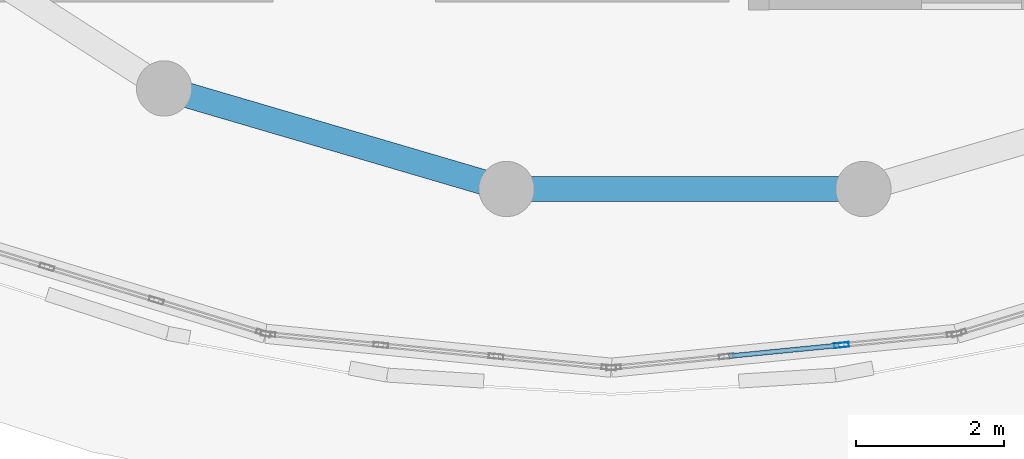
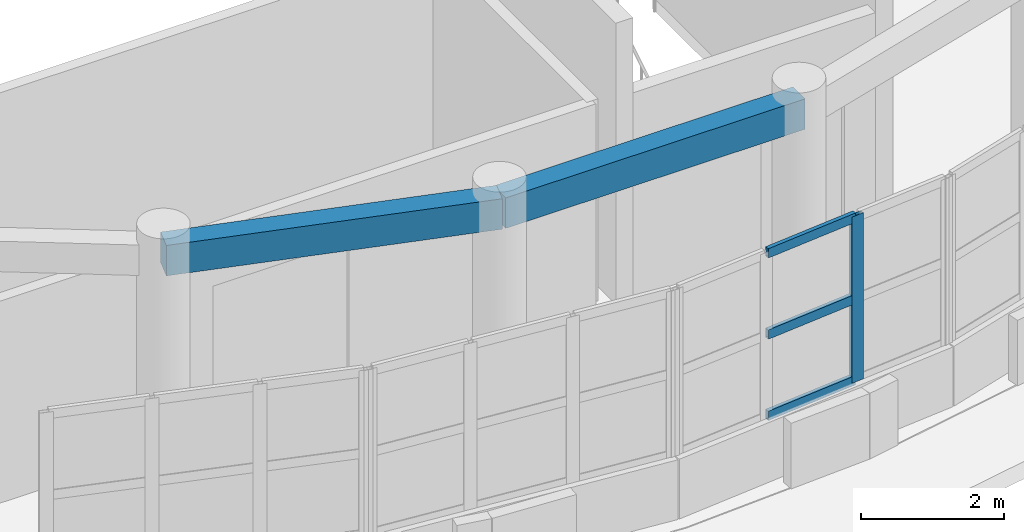
# One storey, part 21 of 98: 4 members, 2 beams, 1 element without a shape of its own.
"""IFC4 building model written with IfcOpenShell, lengths in metres."""

from ifc_helpers import new_model, si_unit, direction, frame, origin, origin_2d, place, context, subcontext, project, spatial, rectangle, hollow_rectangle, extrude, material, layer, layer_set, material_profile, profile_set, type_object, element, aggregate, save


model = new_model("IFC4")

# Units and contexts
model_context = context("Model", 3, precision=1e-05, world=origin(), true_north=direction((0.0, 1.0)))
body_context = subcontext(model_context, "Body", "Model", "MODEL_VIEW")
ifc_project = project(units=[si_unit("LENGTHUNIT", "METRE"), si_unit("AREAUNIT", "SQUARE_METRE"), si_unit("VOLUMEUNIT", "CUBIC_METRE"), si_unit("PLANEANGLEUNIT", "RADIAN"), si_unit("MASSUNIT", "GRAM", prefix="KILO")], contexts=[model_context])

# Site, building, storey
site_placement = place(None, origin())
site = spatial("IfcSite", under=ifc_project, at=site_placement, CompositionType="ELEMENT")
building_placement = place(site_placement, origin())
building = spatial("IfcBuilding", under=site, at=building_placement, Name="Pelvatis Terrace Science Centre", CompositionType="ELEMENT")
storey_placement = place(building_placement, frame((0.0, 0.0, 5.39990234375)))
storey = spatial("IfcBuildingStorey", under=building, at=storey_placement, Name="L01", CompositionType="ELEMENT", Elevation=5.39990234375)

# Beams
ifc_material_1 = material(Name="Concrete C35/45", Category="concrete")
ifc_material_profile_1 = material_profile(ifc_material_1, rectangle(XDim=0.340087890625, YDim=0.52001953125, at=origin_2d()), Name="RC-BM 340x520")
ifc_profile_set_1 = profile_set([ifc_material_profile_1], Name="Concrete C35/45")
beam_type = type_object("IfcBeamType", Name="BM-RC-340x520", PredefinedType="BEAM", material=ifc_profile_set_1)
beam_1_placement = place(storey_placement, frame((70.93798828125, 39.13623046875, 4.280029296875), z_axis=(0.959487536584, -0.281751073006, 0.0), x_axis=(0.281751073006, 0.959487536584, 0.0)))
element("IfcBeam", 1, at=beam_1_placement, inside=storey, type_object=beam_type, Name="Beam BM-L01-2579", PredefinedType="BEAM", context=body_context, shape_type="SweptSolid", body=[
    extrude(rectangle(XDim=0.340087890625, YDim=0.52001953125, at=origin_2d()), origin(), (0.0, 0.0, 1.0), 4.838623046875),
])
beam_2_placement = place(storey_placement, frame((75.58056640625, 37.77294921875, 4.280029296875), z_axis=(1.0, 0.0, 0.0), x_axis=(0.0, 1.0, 0.0)))
element("IfcBeam", 2, at=beam_2_placement, inside=storey, type_object=beam_type, Name="Beam BM-L01-2580", PredefinedType="BEAM", context=body_context, shape_type="SweptSolid", body=[
    extrude(rectangle(XDim=0.340087890625, YDim=0.52001953125, at=origin_2d()), origin(), (0.0, 0.0, 1.0), 4.8388671875),
])

# Curtain wall, members
ifc_material_2 = material(Name="Bronze-anodised aluminium and laminated glass", Category="aluminium")
ifc_layer = layer(ifc_material_2, 0.199951171875)
ifc_layer_set = layer_set([ifc_layer], Name="Bronze-anodised aluminium and laminated glass")
curtain_wall_type = type_object("IfcCurtainWallType", Name="CW-RIBBON-B", PredefinedType="NOTDEFINED", material=ifc_layer_set)
curtain_wall_placement = place(storey_placement, origin())
curtain_wall = element("IfcCurtainWall", 3, at=curtain_wall_placement, inside=storey, type_object=curtain_wall_type, Name="Ribbon curtain wall CW-070 (L01)", PredefinedType="NOTDEFINED")
ifc_material_3 = material(Name="Bronze-anodised aluminium 6063-T6", Category="aluminium")
ifc_material_profile_2 = material_profile(ifc_material_3, hollow_rectangle(XDim=0.06494140625, YDim=0.199951171875, WallThickness=0.00439453125, at=origin_2d()), Name="ALU-MUL 65x200")
ifc_profile_set_2 = profile_set([ifc_material_profile_2], Name="Bronze-anodised aluminium 6063-T6")
member_type_1 = type_object("IfcMemberType", Name="CWM-65x200", PredefinedType="MULLION", material=ifc_profile_set_2)
member_1_placement = place(storey_placement, frame((80.122802734375, 35.65673828125, 1.02001953125), z_axis=(0.0, 0.0, 1.0), x_axis=(-0.097755456789, 0.995210465514, 0.0)))
member_1 = element("IfcMember", 4, at=member_1_placement, type_object=member_type_1, Name="CW-070 mullion 3", PredefinedType="MULLION", context=body_context, shape_type="SweptSolid", body=[
    extrude(hollow_rectangle(XDim=0.06494140625, YDim=0.199951171875, WallThickness=0.00439453125, at=origin_2d()), origin(), (0.0, 0.0, 1.0), 2.840087890625),
])
ifc_material_4 = material(Name="Bronze-anodised aluminium 6063-T6", Category="aluminium")
ifc_material_profile_3 = material_profile(ifc_material_4, hollow_rectangle(XDim=0.06494140625, YDim=0.159912109375, WallThickness=0.00390625, at=origin_2d()), Name="ALU-TRN 65x160")
ifc_profile_set_3 = profile_set([ifc_material_profile_3], Name="Bronze-anodised aluminium 6063-T6")
member_type_2 = type_object("IfcMemberType", Name="CWT-65x160", PredefinedType="USERDEFINED", material=ifc_profile_set_3)
member_2_placement = place(storey_placement, frame((78.59375, 35.506591796875, 1.052490234375), z_axis=(0.995212437245, 0.097735381276, 0.0), x_axis=(-0.097735381276, 0.995212437245, 0.0)))
member_2 = element("IfcMember", 5, at=member_2_placement, type_object=member_type_2, Name="CW-070 transom 2.1", ObjectType="TRANSOM", PredefinedType="USERDEFINED", context=body_context, shape_type="SweptSolid", body=[
    extrude(hollow_rectangle(XDim=0.06494140625, YDim=0.159912109375, WallThickness=0.00390625, at=origin_2d()), origin(), (0.0, 0.0, 1.0), 1.503662109375),
])
member_3_placement = place(storey_placement, frame((78.59375, 35.506591796875, 2.440185546875), z_axis=(0.995212437245, 0.097735381276, 0.0), x_axis=(-0.097735381276, 0.995212437245, 0.0)))
member_3 = element("IfcMember", 6, at=member_3_placement, type_object=member_type_2, Name="CW-070 transom 2.2", ObjectType="TRANSOM", PredefinedType="USERDEFINED", context=body_context, shape_type="SweptSolid", body=[
    extrude(hollow_rectangle(XDim=0.06494140625, YDim=0.159912109375, WallThickness=0.00390625, at=origin_2d()), origin(), (0.0, 0.0, 1.0), 1.503662109375),
])
member_4_placement = place(storey_placement, frame((78.59375, 35.506591796875, 3.82763671875), z_axis=(0.995212437245, 0.097735381276, 0.0), x_axis=(-0.097735381276, 0.995212437245, 0.0)))
member_4 = element("IfcMember", 7, at=member_4_placement, type_object=member_type_2, Name="CW-070 transom 2.3", ObjectType="TRANSOM", PredefinedType="USERDEFINED", context=body_context, shape_type="SweptSolid", body=[
    extrude(hollow_rectangle(XDim=0.06494140625, YDim=0.159912109375, WallThickness=0.00390625, at=origin_2d()), origin(), (0.0, 0.0, 1.0), 1.503662109375),
])
aggregate(curtain_wall, [member_1, member_2, member_3, member_4])

save(model, "model.ifc")
